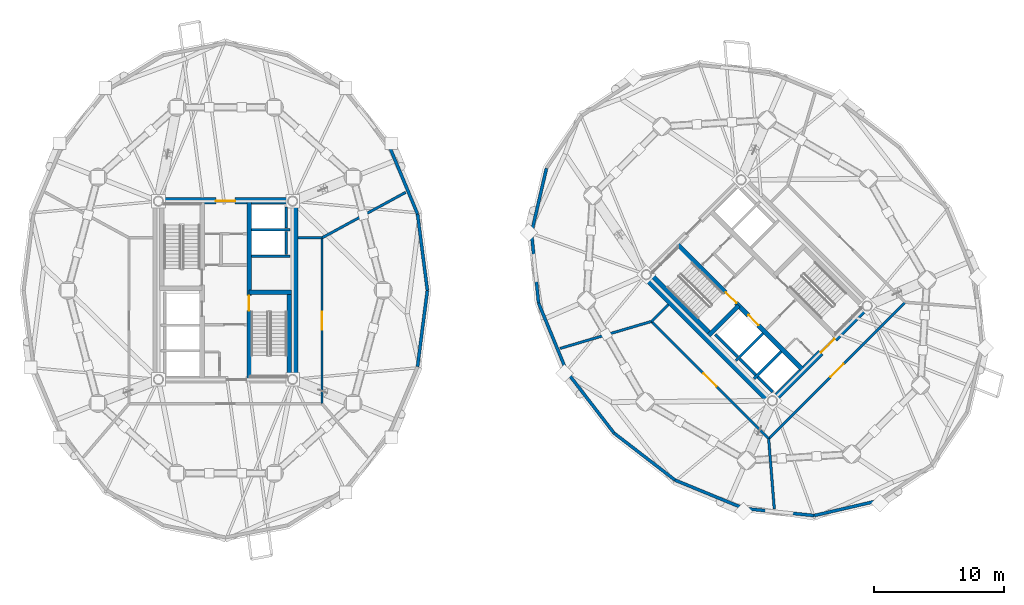
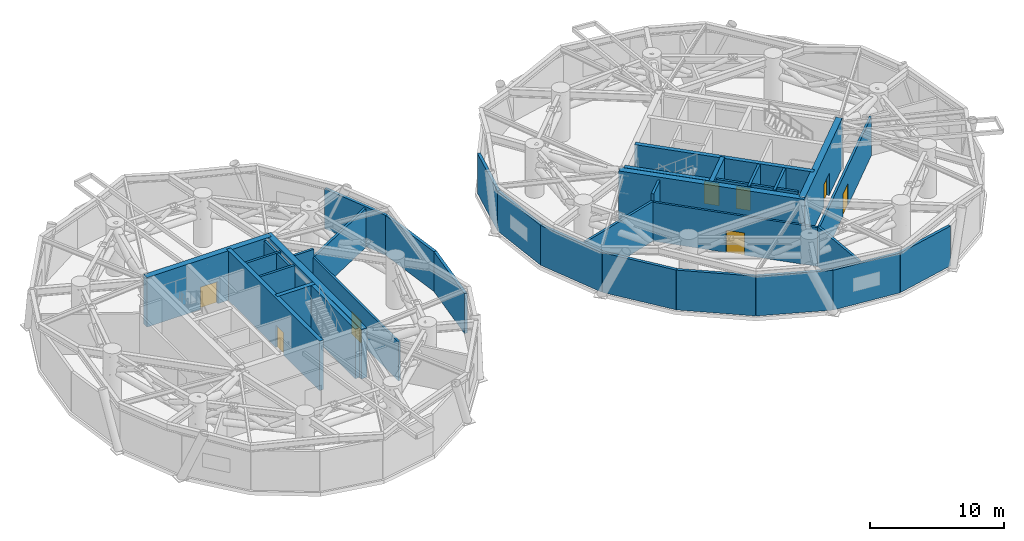
# One storey, part 11 of 16: 38 walls, 8 doors, 8 openings.
"""IFC4 building model written with IfcOpenShell, lengths in metres."""

import ifcopenshell
import ifcopenshell.guid

model = None  # the IFC model being written
_history = None  # IfcOwnerHistory: only IFC2X3 demands one
_inside = {}  # id of a spatial element -> (the spatial element, [elements in it])
_under = {}  # id of a project, library or spatial element -> (it, [spatial elements below it])
_declared = {}  # id of a project -> (the project, [libraries it declares])
_typed = {}  # id of a type object -> (the type object, [elements of that type])
_made_of = {}  # id of a material, layer set ... -> (it, [elements and type objects made of it])


def new_model(schema):
    """Start an empty IFC model of exactly this schema.

    Asked for "IFC4X3", IfcOpenShell would pick the latest addendum, in which some entities
    have other attributes; the version numbers below select the first issue.
    IFC2X3 requires an IfcOwnerHistory on every rooted entity: one is made here for all.
    """
    global model, _history
    if schema == "IFC4X3":
        model = ifcopenshell.file(schema_version=(4, 3, 0, 0))
    else:
        model = ifcopenshell.file(schema=schema)
    _inside.clear()
    _under.clear()
    _declared.clear()
    _typed.clear()
    _made_of.clear()
    _history = None
    if model.schema == "IFC2X3":
        org = make("IfcOrganization", Name="unknown")
        user = make(
            "IfcPersonAndOrganization",
            ThePerson=make("IfcPerson", FamilyName="unknown"),
            TheOrganization=org,
        )
        app = make(
            "IfcApplication",
            ApplicationDeveloper=org,
            Version="unknown",
            ApplicationFullName="unknown",
            ApplicationIdentifier="unknown",
        )
        _history = make(
            "IfcOwnerHistory",
            OwningUser=user,
            OwningApplication=app,
            ChangeAction="ADDED",
            CreationDate=0,
        )
    return model


def make(cls, **values):
    """One entity of the class cls with the attributes given. An attribute that is None is left unset."""
    return model.create_entity(
        cls, **{name: value for name, value in values.items() if value is not None}
    )


def rooted(cls, **values):
    """An entity with a GlobalId (a new one), such as an element, a storey or a relation."""
    return make(cls, GlobalId=ifcopenshell.guid.new(), OwnerHistory=_history, **values)


def si_unit(unit_type, name, prefix=None):
    """IfcSIUnit, for example si_unit("LENGTHUNIT", "METRE", prefix="MILLI")."""
    return make("IfcSIUnit", UnitType=unit_type, Prefix=prefix, Name=name)


def assignment(units):
    """IfcUnitAssignment: the units of a project."""
    return None if units is None else make("IfcUnitAssignment", Units=units)


def point(xyz):
    """IfcCartesianPoint."""
    return None if xyz is None else make("IfcCartesianPoint", Coordinates=xyz)


def direction(xyz):
    """IfcDirection."""
    return None if xyz is None else make("IfcDirection", DirectionRatios=xyz)


def frame(location, z_axis=None, x_axis=None):
    """IfcAxis2Placement3D, a coordinate frame: its origin and axes. An axis left out is left unset."""
    return make(
        "IfcAxis2Placement3D",
        Location=point(location),
        Axis=direction(z_axis),
        RefDirection=direction(x_axis),
    )


def frame_2d(location, x_axis=None):
    """IfcAxis2Placement2D, a coordinate frame in the plane: its origin and x axis."""
    return make(
        "IfcAxis2Placement2D", Location=point(location), RefDirection=direction(x_axis)
    )


def origin():
    """The frame at (0, 0, 0) with its axes left unset."""
    return frame((0.0, 0.0, 0.0))


def place(relative_to, where):
    """IfcLocalPlacement: puts the frame where relative to a parent placement (None: the world)."""
    return make(
        "IfcLocalPlacement", PlacementRelTo=relative_to, RelativePlacement=where
    )


def context(
    kind, dimensions, precision=None, world=None, true_north=None, identifier=None
):
    """IfcGeometricRepresentationContext, for example the 3D "Model" context."""
    return make(
        "IfcGeometricRepresentationContext",
        ContextIdentifier=identifier,
        ContextType=kind,
        CoordinateSpaceDimension=dimensions,
        Precision=precision,
        WorldCoordinateSystem=world,
        TrueNorth=true_north,
    )


def subcontext(parent, identifier, kind, view, scale=None):
    """IfcGeometricRepresentationSubContext, for example "Body" below "Model"."""
    return make(
        "IfcGeometricRepresentationSubContext",
        ContextIdentifier=identifier,
        ContextType=kind,
        ParentContext=parent,
        TargetScale=scale,
        TargetView=view,
    )


def project(units=None, contexts=None):
    """IfcProject with its units and contexts."""
    return rooted(
        "IfcProject",
        Name="project",
        RepresentationContexts=contexts,
        UnitsInContext=assignment(units),
    )


def spatial(cls, under=None, at=None, **own):
    """A site, building, storey or space (cls), placed at a placement, below another one or the project."""
    s = rooted(cls, ObjectPlacement=at, **own)
    if under is not None:
        _under.setdefault(under.id(), (under, []))[1].append(s)
    return s


def profile(cls, at=None, kind="AREA", **sizes):
    """A parametric profile (cls). Its sizes go by their IFC names, for example OverallWidth=200.0."""
    return make(cls, ProfileType=kind, Position=at, **sizes)


def rectangle(**sizes):
    """IfcRectangleProfileDef."""
    return profile("IfcRectangleProfileDef", **sizes)


def extrude(swept, where, along, depth):
    """IfcExtrudedAreaSolid: the profile swept, set in the frame where, extruded along a direction by depth."""
    return make(
        "IfcExtrudedAreaSolid",
        SweptArea=swept,
        Position=where,
        ExtrudedDirection=direction(along),
        Depth=depth,
    )


def shape(context_of_items, identifier, shape_type, items):
    """IfcShapeRepresentation: the items that make up one representation, for example the "Body"."""
    return make(
        "IfcShapeRepresentation",
        ContextOfItems=context_of_items,
        RepresentationIdentifier=identifier,
        RepresentationType=shape_type,
        Items=items,
    )


def source(mapping_origin, context_of_items, identifier, shape_type, items):
    """IfcRepresentationMap: a shape defined once, which mapped items show again and again."""
    return make(
        "IfcRepresentationMap",
        MappingOrigin=mapping_origin,
        MappedRepresentation=shape(context_of_items, identifier, shape_type, items),
    )


def transform(
    local_origin,
    x_axis=None,
    y_axis=None,
    z_axis=None,
    scale=None,
    scale2=None,
    scale3=None,
    uniform=True,
):
    """IfcCartesianTransformationOperator3D, or its non-uniform kind. x_axis, y_axis, z_axis: its Axis1, 2, 3."""
    if uniform:
        return make(
            "IfcCartesianTransformationOperator3D",
            Axis1=direction(x_axis),
            Axis2=direction(y_axis),
            LocalOrigin=point(local_origin),
            Scale=scale,
            Axis3=direction(z_axis),
        )
    return make(
        "IfcCartesianTransformationOperator3DnonUniform",
        Axis1=direction(x_axis),
        Axis2=direction(y_axis),
        LocalOrigin=point(local_origin),
        Scale=scale,
        Axis3=direction(z_axis),
        Scale2=scale2,
        Scale3=scale3,
    )


def mapped(mapping_source, mapping_target):
    """IfcMappedItem: shows the shape of a source again, moved by a transform."""
    return make(
        "IfcMappedItem", MappingSource=mapping_source, MappingTarget=mapping_target
    )


def material(Name=None, Category=None):
    """IfcMaterial."""
    return make("IfcMaterial", Name=Name, Category=Category)


def layer(
    of_material, thickness, ventilated=None, Name=None, Category=None, Priority=None
):
    """IfcMaterialLayer: one layer of a wall or slab, of a material (None: an air gap)."""
    return make(
        "IfcMaterialLayer",
        Material=of_material,
        LayerThickness=thickness,
        IsVentilated=ventilated,
        Name=Name,
        Category=Category,
        Priority=Priority,
    )


def layer_set(layers, Name=None):
    """IfcMaterialLayerSet."""
    return make("IfcMaterialLayerSet", MaterialLayers=layers, LayerSetName=Name)


def made_of(thing, what):
    """Note that an element or type object is made of a material, layer set ...; save() writes the relation."""
    if what is not None:
        _made_of.setdefault(what.id(), (what, []))[1].append(thing)
    return thing


def type_object(cls, material=None, **own):
    """A type object (cls), such as IfcWallType, which elements share."""
    return made_of(rooted(cls, **own), material)


def element(
    cls,
    number,
    at=None,
    inside=None,
    cuts=None,
    type_object=None,
    material=None,
    context=None,
    identifier="Body",
    shape_type=None,
    held_by="IfcProductDefinitionShape",
    body=None,
    shapes=None,
    **own,
):
    """One element of the class cls, such as IfcWall. Its Tag is "e" and its number.

    at: its placement. inside: the storey or other place that contains it. cuts: it is an
    opening in that element (IfcRelVoidsElement). A single representation is given by context,
    identifier, shape_type and body (its items); several are given by shapes. held_by: the class
    of the entity that holds the representations. save() writes the other relations.
    """
    e = rooted(cls, Tag="e%d" % number, ObjectPlacement=at, **own)
    if body is not None:
        shapes = [shape(context, identifier, shape_type, body)]
    if shapes is not None:
        e.Representation = make(held_by, Representations=shapes)
    if inside is not None:
        _inside.setdefault(inside.id(), (inside, []))[1].append(e)
    if cuts is not None:
        rooted(
            "IfcRelVoidsElement", RelatingBuildingElement=cuts, RelatedOpeningElement=e
        )
    if type_object is not None:
        _typed.setdefault(type_object.id(), (type_object, []))[1].append(e)
    return made_of(e, material)


def fill(opening, filler):
    """IfcRelFillsElement: the door or window that sits in an opening."""
    return rooted(
        "IfcRelFillsElement",
        RelatingOpeningElement=opening,
        RelatedBuildingElement=filler,
    )


def aggregate(whole, parts):
    """IfcRelAggregates: a whole, such as a stair, and the parts it consists of."""
    return rooted("IfcRelAggregates", RelatingObject=whole, RelatedObjects=parts)


def save(model, path):
    """Write the relations noted so far, then the file.

    IfcRelAggregates (storeys below a building ...), IfcRelContainedInSpatialStructure (elements
    in a storey), IfcRelDefinesByType, IfcRelAssociatesMaterial and IfcRelDeclares: one each for
    every whole, place, type object, material and project.
    """
    for whole, parts in _under.values():
        aggregate(whole, parts)
    for where, things in _inside.values():
        rooted(
            "IfcRelContainedInSpatialStructure",
            RelatedElements=things,
            RelatingStructure=where,
        )
    for kind, things in _typed.values():
        rooted("IfcRelDefinesByType", RelatedObjects=things, RelatingType=kind)
    for what, things in _made_of.values():
        rooted("IfcRelAssociatesMaterial", RelatedObjects=things, RelatingMaterial=what)
    for by, libraries in _declared.values():
        rooted("IfcRelDeclares", RelatingContext=by, RelatedDefinitions=libraries)
    model.write(path)


model = new_model("IFC4")

# Units and contexts
model_context = context("Model", 3, precision=1e-05, world=origin(), true_north=direction((0.0, 1.0)))
body_context = subcontext(model_context, "Body", "Model", "MODEL_VIEW")
ifc_project = project(units=[si_unit("LENGTHUNIT", "METRE"), si_unit("AREAUNIT", "SQUARE_METRE"), si_unit("VOLUMEUNIT", "CUBIC_METRE"), si_unit("PLANEANGLEUNIT", "RADIAN"), si_unit("MASSUNIT", "GRAM", prefix="KILO")], contexts=[model_context])

# Site, building, storey
site_placement = place(None, origin())
site = spatial("IfcSite", under=ifc_project, at=site_placement, CompositionType="ELEMENT")
building_placement = place(site_placement, origin())
building = spatial("IfcBuilding", under=site, at=building_placement, Name="Cununo Teusaquillo Station Towers", CompositionType="ELEMENT")
storey_placement = place(building_placement, frame((0.0, 0.0, 65.64990234375)))
storey = spatial("IfcBuildingStorey", under=building, at=storey_placement, Name="L20", CompositionType="ELEMENT", Elevation=65.64990234375)

# Walls
ifc_material_1 = material(Name="Concrete C50/60", Category="concrete")
ifc_layer_1 = layer(ifc_material_1, 0.199951171875)
ifc_layer_set_1 = layer_set([ifc_layer_1], Name="Concrete C50/60")
wall_type_1 = type_object("IfcWallType", Name="WL-CORE-200", PredefinedType="SHEAR", material=ifc_layer_set_1)
for number, where, z_axis, x_axis, name in (
    (1, (18.510009765625, 27.1298828125, 0.0), (0.0, 0.0, 1.0), (1.0, 0.0, 0.0), "L20 Tower A Low-Rise Lift Hoistway South Shear Wall"),
    (2, (18.510009765625, 29.175048828125, 0.0), (0.0, 0.0, 1.0), (1.0, 0.0, 0.0), "L20 Tower A Low-Rise Lift Hoistway Divider Shear Wall"),
):
    element("IfcWall", number, at=place(storey_placement, frame(where, z_axis=z_axis, x_axis=x_axis)), inside=storey, type_object=wall_type_1, Name=name, PredefinedType="SHEAR", context=body_context, shape_type="SweptSolid", body=[
        extrude(rectangle(XDim=2.969970703125, YDim=0.199951171875, at=frame_2d((1.48486328125, 0.0))), origin(), (0.0, 0.0, 1.0), 4.5),
    ])
wall_1_placement = place(storey_placement, frame((21.179931640625, 27.25, 0.0), z_axis=(0.0, 0.0, 1.0), x_axis=(0.0, 1.0, 0.0)))
element("IfcWall", 3, at=wall_1_placement, inside=storey, type_object=wall_type_1, Name="L20 Tower A Low-Rise Lift 1 Shaft Rear Shear Wall", PredefinedType="SHEAR", context=body_context, shape_type="SweptSolid", body=[
    extrude(rectangle(XDim=1.804931640625, YDim=0.199951171875, at=frame_2d((0.90234375, 0.0))), origin(), (0.0, 0.0, 1.0), 4.5),
])
wall_2_placement = place(storey_placement, frame((21.179931640625, 29.294921875, 0.0), z_axis=(0.0, 0.0, 1.0), x_axis=(0.0, 1.0, 0.0)))
element("IfcWall", 4, at=wall_2_placement, inside=storey, type_object=wall_type_1, Name="L20 Tower A Low-Rise Lift 2 Shaft Rear Shear Wall", PredefinedType="SHEAR", context=body_context, shape_type="SweptSolid", body=[
    extrude(rectangle(XDim=1.635009765625, YDim=0.199951171875, at=frame_2d((0.8173828125, 0.0))), origin(), (0.0, 0.0, 1.0), 4.5),
])
wall_3_placement = place(storey_placement, frame((55.8876953125, 19.0693359375, 0.0), z_axis=(0.0, 0.0, 1.0), x_axis=(0.707106781187, 0.707106781187, 0.0)))
element("IfcWall", 5, at=wall_3_placement, inside=storey, type_object=wall_type_1, Name="L20 Tower B Firefighting Lift Shaft South Shear Wall", PredefinedType="SHEAR", context=body_context, shape_type="SweptSolid", body=[
    extrude(rectangle(XDim=2.969970703125, YDim=0.199951171875, at=frame_2d((1.48486328125, 0.0))), origin(), (0.0, 0.0, 1.0), 4.5),
])
wall_4_placement = place(storey_placement, frame((56.01513671875, 19.366455078125, 0.0), z_axis=(0.0, 0.0, 1.0), x_axis=(-0.707106781187, 0.707106781187, 0.0)))
element("IfcWall", 6, at=wall_4_placement, inside=storey, type_object=wall_type_1, Name="L20 Tower B Firefighting Lift Shaft Rear Shear Wall", PredefinedType="SHEAR", context=body_context, shape_type="SweptSolid", body=[
    extrude(rectangle(XDim=2.43994140625, YDim=0.199951171875, at=frame_2d((1.219970703125, 0.0))), origin(), (0.0, 0.0, 1.0), 4.5),
])
wall_5_placement = place(storey_placement, frame((57.2841796875, 17.6728515625, 0.0), z_axis=(0.0, 0.0, 1.0), x_axis=(0.707147878904, 0.70706568108, 0.0)))
element("IfcWall", 7, at=wall_5_placement, inside=storey, type_object=wall_type_1, Name="L20 Tower B High-Rise Lift Hoistway Divider Shear Wall", PredefinedType="SHEAR", context=body_context, shape_type="SweptSolid", body=[
    extrude(rectangle(XDim=2.97021484375, YDim=0.199951171875, at=frame_2d((1.485107421875, 0.0))), origin(), (0.0, 0.0, 1.0), 4.5),
])
wall_6_placement = place(storey_placement, frame((57.41162109375, 17.969970703125, 0.0), z_axis=(0.0, 0.0, 1.0), x_axis=(-0.707106781187, 0.707106781187, 0.0)))
element("IfcWall", 8, at=wall_6_placement, inside=storey, type_object=wall_type_1, Name="L20 Tower B High-Rise Lift 2 Shaft Rear Shear Wall", PredefinedType="SHEAR", context=body_context, shape_type="SweptSolid", body=[
    extrude(rectangle(XDim=1.73486328125, YDim=0.199951171875, at=frame_2d((0.867431640625, 0.0))), origin(), (0.0, 0.0, 1.0), 4.5),
])
wall_7_placement = place(storey_placement, frame((58.7373046875, 16.64404296875, 0.0), z_axis=(0.0, 0.0, 1.0), x_axis=(-0.707032117043, 0.707181437447, 0.0)))
element("IfcWall", 9, at=wall_7_placement, inside=storey, type_object=wall_type_1, Name="L20 Tower B High-Rise Lift 1 Shaft Rear Shear Wall", PredefinedType="SHEAR", context=body_context, shape_type="SweptSolid", body=[
    extrude(rectangle(XDim=1.635009765625, YDim=0.199951171875, at=frame_2d((0.8173828125, 0.0))), origin(), (0.0, 0.0, 1.0), 4.5),
])

# Wall, opening, door
ifc_material_2 = material(Name="Concrete C50/60", Category="concrete")
ifc_layer_2 = layer(ifc_material_2, 0.35009765625)
ifc_layer_set_2 = layer_set([ifc_layer_2], Name="Concrete C50/60")
wall_type_2 = type_object("IfcWallType", Name="WL-CORE-350", PredefinedType="SHEAR", material=ifc_layer_set_2)
wall_8_placement = place(storey_placement, frame((18.31494140625, 17.60009765625, 0.0), z_axis=(0.0, 0.0, 1.0), x_axis=(0.0, 1.0, 0.0)))
wall_8 = element("IfcWall", 10, at=wall_8_placement, inside=storey, type_object=wall_type_2, Name="L20 Tower A Core Shear Wall IE", PredefinedType="SHEAR", context=body_context, shape_type="SweptSolid", body=[
    extrude(rectangle(XDim=13.7998046875, YDim=0.35009765625, at=frame_2d((6.89990234375, 0.0))), origin(), (0.0, 0.0, 1.0), 4.5),
])
shared_shape_1 = source(origin(), body_context, "Body", "SweptSolid", [
    extrude(rectangle(XDim=1.14990234375, YDim=2.02001953125, at=frame_2d((0.574951171875, 1.010009765625))), frame((0.0, 0.18505859375, 0.0), z_axis=(0.0, -1.0, 0.0), x_axis=(1.0, 0.0, 0.0)), (0.0, 0.0, 1.0), 0.3701171875),
])
opening_1_placement = place(wall_8_placement, frame((5.330078125, 0.0, 0.0)))
opening_1 = element("IfcOpeningElement", 11, at=opening_1_placement, cuts=wall_8, Name="Opening D-ST1", PredefinedType="OPENING", context=body_context, shape_type="MappedRepresentation", body=[
    mapped(shared_shape_1, transform((0.0, 0.0, 0.0), x_axis=(1.0, 0.0, 0.0), y_axis=(0.0, 1.0, 0.0), z_axis=(0.0, 0.0, 1.0), scale=1.0)),
])
ifc_material_3 = material(Name="Galvanised fire-rated hollow steel door assembly", Category="steel")
door_type_1 = type_object("IfcDoorType", Name="DR-STAIR-1150", OperationType="NOTDEFINED", PredefinedType="DOOR", material=ifc_material_3)
shared_shape_2 = source(origin(), body_context, "Body", "SweptSolid", [
    extrude(rectangle(XDim=1.14990234375, YDim=2.02001953125, at=frame_2d((0.574951171875, 1.010009765625))), frame((0.0, 0.02490234375, 0.0), z_axis=(0.0, -1.0, 0.0), x_axis=(1.0, 0.0, 0.0)), (0.0, 0.0, 1.0), 0.050048828125),
])
door_1_placement = place(opening_1_placement, origin())
door_1 = element("IfcDoor", 12, at=door_1_placement, inside=storey, type_object=door_type_1, Name="L20 Tower A Exit Stair 2 Fire Door", OperationType="SINGLE_SWING_RIGHT", OverallHeight=2.02001953125, OverallWidth=1.14990234375, PredefinedType="DOOR", context=body_context, shape_type="MappedRepresentation", body=[
    mapped(shared_shape_2, transform((0.0, 0.0, 0.0), x_axis=(1.0, 0.0, 0.0), y_axis=(0.0, 1.0, 0.0), z_axis=(0.0, 0.0, 1.0), scale=1.0)),
])
fill(opening_1, door_1)

# Walls
wall_9_placement = place(storey_placement, frame((21.405029296875, 17.60009765625, 0.0), z_axis=(0.0, 0.0, 1.0), x_axis=(0.0, 1.0, 0.0)))
element("IfcWall", 13, at=wall_9_placement, inside=storey, type_object=wall_type_2, Name="L20 Tower A Core Shear Wall ST2E", PredefinedType="SHEAR", context=body_context, shape_type="SweptSolid", body=[
    extrude(rectangle(XDim=6.744873046875, YDim=0.35009765625, at=frame_2d((3.37255859375, 0.0))), origin(), (0.0, 0.0, 1.0), 4.5),
])
wall_10_placement = place(storey_placement, frame((18.31494140625, 24.344970703125, 0.0), z_axis=(0.0, 0.0, 1.0), x_axis=(1.0, 0.0, 0.0)))
element("IfcWall", 14, at=wall_10_placement, inside=storey, type_object=wall_type_2, Name="L20 Tower A Core Shear Wall ST2N", PredefinedType="SHEAR", context=body_context, shape_type="SweptSolid", body=[
    extrude(rectangle(XDim=3.28515625, YDim=0.35009765625, at=frame_2d((1.642578125, 0.0))), origin(), (0.0, 0.0, 1.0), 4.5),
])

# Wall, openings, doors
wall_11_placement = place(storey_placement, frame((61.095703125, 18.337646484375, 0.0), z_axis=(0.0, 0.0, 1.0), x_axis=(-0.707106781187, 0.707106781187, 0.0)))
wall_11 = element("IfcWall", 15, at=wall_11_placement, inside=storey, type_object=wall_type_2, Name="L20 Tower B Core Shear Wall IW", PredefinedType="SHEAR", context=body_context, shape_type="SweptSolid", body=[
    extrude(rectangle(XDim=13.800048828125, YDim=0.35009765625, at=frame_2d((6.89990234375, 0.0))), origin(), (0.0, 0.0, 1.0), 4.5),
])
shared_shape_3 = source(origin(), body_context, "Body", "SweptSolid", [
    extrude(rectangle(XDim=1.10009765625, YDim=2.014892578125, at=frame_2d((0.550048828125, 1.00732421875))), frame((0.0, 0.18505859375, 0.0), z_axis=(0.0, -1.0, 0.0), x_axis=(1.0, 0.0, 0.0)), (0.0, 0.0, 1.0), 0.3701171875),
])
opening_2_placement = place(wall_11_placement, frame((4.89990234375, 0.0, 0.0)))
opening_2 = element("IfcOpeningElement", 16, at=opening_2_placement, cuts=wall_11, Name="Opening LD-01", PredefinedType="OPENING", context=body_context, shape_type="MappedRepresentation", body=[
    mapped(shared_shape_3, transform((0.0, 0.0, 0.0), x_axis=(1.0, 0.0, 0.0), y_axis=(0.0, 1.0, 0.0), z_axis=(0.0, 0.0, 1.0), scale=1.0)),
])
opening_3_placement = place(wall_11_placement, frame((7.320068359375, 0.0, 0.0)))
opening_3 = element("IfcOpeningElement", 17, at=opening_3_placement, cuts=wall_11, Name="Opening D-ST1", PredefinedType="OPENING", context=body_context, shape_type="MappedRepresentation", body=[
    mapped(shared_shape_1, transform((0.0, 0.0, 0.0), x_axis=(1.0, 0.0, 0.0), y_axis=(0.0, 1.0, 0.0), z_axis=(0.0, 0.0, 1.0), scale=1.0)),
])
ifc_material_4 = material(Name="Galvanised fire-rated hollow steel door assembly", Category="steel")
door_type_2 = type_object("IfcDoorType", Name="DR-LIFT-1100", OperationType="SLIDING_TO_LEFT", PredefinedType="DOOR", material=ifc_material_4)
shared_shape_4 = source(origin(), body_context, "Body", "SweptSolid", [
    extrude(rectangle(XDim=1.10009765625, YDim=2.014892578125, at=frame_2d((0.550048828125, 1.00732421875))), frame((0.0, 0.02490234375, 0.0), z_axis=(0.0, -1.0, 0.0), x_axis=(1.0, 0.0, 0.0)), (0.0, 0.0, 1.0), 0.050048828125),
])
door_2_placement = place(opening_2_placement, origin())
door_2 = element("IfcDoor", 18, at=door_2_placement, inside=storey, type_object=door_type_2, Name="L20 Lift FL-T2 Sliding Landing Door", OperationType="SLIDING_TO_RIGHT", OverallHeight=2.014892578125, OverallWidth=1.10009765625, PredefinedType="DOOR", context=body_context, shape_type="MappedRepresentation", body=[
    mapped(shared_shape_4, transform((0.0, 0.0, 0.0), x_axis=(1.0, 0.0, 0.0), y_axis=(0.0, 1.0, 0.0), z_axis=(0.0, 0.0, 1.0), scale=1.0)),
])
fill(opening_2, door_2)
door_3_placement = place(opening_3_placement, origin())
door_3 = element("IfcDoor", 19, at=door_3_placement, inside=storey, type_object=door_type_1, Name="L20 Tower B Exit Stair 1 Fire Door", OperationType="SINGLE_SWING_RIGHT", OverallHeight=2.02001953125, OverallWidth=1.14990234375, PredefinedType="DOOR", context=body_context, shape_type="MappedRepresentation", body=[
    mapped(shared_shape_2, transform((0.0, 0.0, 0.0), x_axis=(1.0, 0.0, 0.0), y_axis=(0.0, 1.0, 0.0), z_axis=(0.0, 0.0, 1.0), scale=1.0)),
])
fill(opening_3, door_3)

# Walls
wall_12_placement = place(storey_placement, frame((53.922119140625, 21.14111328125, 0.0), z_axis=(0.0, 0.0, 1.0), x_axis=(-0.707106781187, 0.707106781187, 0.0)))
element("IfcWall", 20, at=wall_12_placement, inside=storey, type_object=wall_type_2, Name="L20 Tower B Core Shear Wall ST1W", PredefinedType="SHEAR", context=body_context, shape_type="SweptSolid", body=[
    extrude(rectangle(XDim=6.7451171875, YDim=0.35009765625, at=frame_2d((3.37255859375, 0.0))), origin(), (0.0, 0.0, 1.0), 4.5),
])
wall_13_placement = place(storey_placement, frame((53.7841796875, 21.00341796875, 0.0), z_axis=(0.0, 0.0, 1.0), x_axis=(0.707106781187, 0.707106781187, 0.0)))
element("IfcWall", 21, at=wall_13_placement, inside=storey, type_object=wall_type_2, Name="L20 Tower B Core Shear Wall ST1S", PredefinedType="SHEAR", context=body_context, shape_type="SweptSolid", body=[
    extrude(rectangle(XDim=3.284912109375, YDim=0.35009765625, at=frame_2d((1.642578125, 0.0))), origin(), (0.0, 0.0, 1.0), 4.5),
])
ifc_material_5 = material(Name="Concrete C60/75", Category="concrete")
ifc_layer_3 = layer(ifc_material_5, 0.5)
ifc_layer_set_3 = layer_set([ifc_layer_3], Name="Concrete C60/75")
wall_type_3 = type_object("IfcWallType", Name="WL-CORE-500", PredefinedType="SHEAR", material=ifc_layer_set_3)
wall_14_placement = place(storey_placement, frame((21.85009765625, 17.35009765625, 0.0), z_axis=(0.0, 0.0, 1.0), x_axis=(0.0, 1.0, 0.0)))
element("IfcWall", 22, at=wall_14_placement, inside=storey, type_object=wall_type_3, Name="L20 Tower A Core Shear Wall E", PredefinedType="SHEAR", context=body_context, shape_type="SweptSolid", body=[
    extrude(rectangle(XDim=14.2998046875, YDim=0.5, at=frame_2d((7.14990234375, 0.0))), origin(), (0.0, 0.0, 1.0), 4.5),
])

# Wall, opening, door
wall_15_placement = place(storey_placement, frame((11.14990234375, 31.39990234375, 0.0), z_axis=(0.0, 0.0, 1.0), x_axis=(1.0, 0.0, 0.0)))
wall_15 = element("IfcWall", 23, at=wall_15_placement, inside=storey, type_object=wall_type_3, Name="L20 Tower A Core Shear Wall N", PredefinedType="SHEAR", context=body_context, shape_type="SweptSolid", body=[
    extrude(rectangle(XDim=10.7001953125, YDim=0.5, at=frame_2d((5.35009765625, 0.0))), origin(), (0.0, 0.0, 1.0), 4.5),
])
shared_shape_5 = source(origin(), body_context, "Body", "SweptSolid", [
    extrude(rectangle(XDim=1.5, YDim=2.02001953125, at=frame_2d((0.75, 1.010009765625))), frame((0.0, 0.260009765625, 0.0), z_axis=(0.0, -1.0, 0.0), x_axis=(1.0, 0.0, 0.0)), (0.0, 0.0, 1.0), 0.52001953125),
])
opening_4_placement = place(wall_15_placement, frame((4.60009765625, 0.0, 0.0)))
opening_4 = element("IfcOpeningElement", 24, at=opening_4_placement, cuts=wall_15, Name="Opening D-LB1", PredefinedType="OPENING", context=body_context, shape_type="MappedRepresentation", body=[
    mapped(shared_shape_5, transform((0.0, 0.0, 0.0), x_axis=(1.0, 0.0, 0.0), y_axis=(0.0, 1.0, 0.0), z_axis=(0.0, 0.0, 1.0), scale=1.0)),
])
ifc_material_6 = material(Name="Galvanised fire-rated hollow steel door assembly", Category="steel")
door_type_3 = type_object("IfcDoorType", Name="DR-LOBBY-1500", OperationType="DOUBLE_DOOR_SINGLE_SWING", PredefinedType="DOOR", material=ifc_material_6)
shared_shape_6 = source(origin(), body_context, "Body", "SweptSolid", [
    extrude(rectangle(XDim=1.5, YDim=2.02001953125, at=frame_2d((0.75, 1.010009765625))), frame((0.0, 0.02490234375, 0.0), z_axis=(0.0, -1.0, 0.0), x_axis=(1.0, 0.0, 0.0)), (0.0, 0.0, 1.0), 0.050048828125),
])
door_4_placement = place(opening_4_placement, origin())
door_4 = element("IfcDoor", 25, at=door_4_placement, inside=storey, type_object=door_type_3, Name="L20 Tower A North Core Lift Lobby Door", OperationType="DOUBLE_DOOR_SINGLE_SWING", OverallHeight=2.02001953125, OverallWidth=1.5, PredefinedType="DOOR", context=body_context, shape_type="MappedRepresentation", body=[
    mapped(shared_shape_6, transform((0.0, 0.0, 0.0), x_axis=(1.0, 0.0, 0.0), y_axis=(0.0, 1.0, 0.0), z_axis=(0.0, 0.0, 1.0), scale=1.0)),
])
fill(opening_4, door_4)

# Wall
wall_16_placement = place(storey_placement, frame((58.772705078125, 15.6611328125, 0.0), z_axis=(0.0, 0.0, 1.0), x_axis=(-0.707106781187, 0.707106781187, 0.0)))
element("IfcWall", 26, at=wall_16_placement, inside=storey, type_object=wall_type_3, Name="L20 Tower B Core Shear Wall W", PredefinedType="SHEAR", context=body_context, shape_type="SweptSolid", body=[
    extrude(rectangle(XDim=14.2998046875, YDim=0.5, at=frame_2d((7.14990234375, 0.0))), origin(), (0.0, 0.0, 1.0), 4.5),
])

# Wall, opening, door
wall_17_placement = place(storey_placement, frame((58.595947265625, 15.837890625, 0.0), z_axis=(0.0, 0.0, 1.0), x_axis=(0.707106781187, 0.707106781187, 0.0)))
wall_17 = element("IfcWall", 27, at=wall_17_placement, inside=storey, type_object=wall_type_3, Name="L20 Tower B Core Shear Wall S", PredefinedType="SHEAR", context=body_context, shape_type="SweptSolid", body=[
    extrude(rectangle(XDim=10.7001953125, YDim=0.5, at=frame_2d((5.35009765625, 0.0))), origin(), (0.0, 0.0, 1.0), 4.5),
])
opening_5_placement = place(wall_17_placement, frame((5.449951171875, 0.0, 0.0)))
opening_5 = element("IfcOpeningElement", 28, at=opening_5_placement, cuts=wall_17, Name="Opening D-LB1", PredefinedType="OPENING", context=body_context, shape_type="MappedRepresentation", body=[
    mapped(shared_shape_5, transform((0.0, 0.0, 0.0), x_axis=(1.0, 0.0, 0.0), y_axis=(0.0, 1.0, 0.0), z_axis=(0.0, 0.0, 1.0), scale=1.0)),
])
door_5_placement = place(opening_5_placement, origin())
door_5 = element("IfcDoor", 29, at=door_5_placement, inside=storey, type_object=door_type_3, Name="L20 Tower B South Core Lift Lobby Door", OperationType="DOUBLE_DOOR_SINGLE_SWING", OverallHeight=2.02001953125, OverallWidth=1.5, PredefinedType="DOOR", context=body_context, shape_type="MappedRepresentation", body=[
    mapped(shared_shape_6, transform((0.0, 0.0, 0.0), x_axis=(1.0, 0.0, 0.0), y_axis=(0.0, 1.0, 0.0), z_axis=(0.0, 0.0, 1.0), scale=1.0)),
])
fill(opening_5, door_5)

# Walls
ifc_material_7 = material(Name="Precast concrete C40/50", Category="concrete")
ifc_layer_4 = layer(ifc_material_7, 0.239990234375)
ifc_layer_set_4 = layer_set([ifc_layer_4], Name="Precast concrete C40/50")
wall_type_4 = type_object("IfcWallType", Name="WL-EXT-240", PredefinedType="SOLIDWALL", material=ifc_layer_set_4)
wall_18_placement = place(storey_placement, frame((31.318359375, 30.39306640625, 0.0), z_axis=(0.0, 0.0, 1.0), x_axis=(0.128351991996, -0.991728675672, 0.0)))
element("IfcWall", 30, at=wall_18_placement, inside=storey, type_object=wall_type_4, Name="L20 Tower A Exterior Facade Wall C00", PredefinedType="SOLIDWALL", context=body_context, shape_type="SweptSolid", body=[
    extrude(rectangle(XDim=5.942138671875, YDim=0.239990234375, at=frame_2d((2.97119140625, 0.0))), origin(), (0.0, 0.0, 1.0), 3.6162109375),
])
wall_19_placement = place(storey_placement, frame((29.105224609375, 35.708984375, 0.0), z_axis=(0.0, 0.0, 1.0), x_axis=(0.384344417632, -0.923189779317, 0.0)))
element("IfcWall", 31, at=wall_19_placement, inside=storey, type_object=wall_type_4, Name="L20 Tower A Exterior Facade Wall C01", PredefinedType="SOLIDWALL", context=body_context, shape_type="SweptSolid", body=[
    extrude(rectangle(XDim=5.75830078125, YDim=0.239990234375, at=frame_2d((2.879150390625, 0.0))), origin(), (0.0, 0.0, 1.0), 3.6162109375),
])
wall_20_placement = place(storey_placement, frame((32.0810546875, 24.5, 0.0), z_axis=(0.0, 0.0, 1.0), x_axis=(-0.128351991996, -0.991728675672, 0.0)))
element("IfcWall", 32, at=wall_20_placement, inside=storey, type_object=wall_type_4, Name="L20 Tower A Exterior Facade Wall C19", PredefinedType="SOLIDWALL", context=body_context, shape_type="SweptSolid", body=[
    extrude(rectangle(XDim=5.942138671875, YDim=0.239990234375, at=frame_2d((2.97119140625, 0.0))), origin(), (0.0, 0.0, 1.0), 3.6162109375),
])
wall_21_placement = place(storey_placement, frame((40.114990234375, 28.933349609375, 0.0), z_axis=(0.0, 0.0, 1.0), x_axis=(0.225834725257, 0.974165631126, 0.0)))
element("IfcWall", 33, at=wall_21_placement, inside=storey, type_object=wall_type_4, Name="L20 Tower B Exterior Facade Wall C06", PredefinedType="SOLIDWALL", context=body_context, shape_type="SweptSolid", body=[
    extrude(rectangle(XDim=5.118896484375, YDim=0.239990234375, at=frame_2d((2.5595703125, 0.0))), origin(), (0.0, 0.0, 1.0), 3.6162109375),
])
wall_22_placement = place(storey_placement, frame((40.66064453125, 23.5126953125, 0.0), z_axis=(0.0, 0.0, 1.0), x_axis=(-0.10015591906, 0.994971754311, 0.0)))
element("IfcWall", 34, at=wall_22_placement, inside=storey, type_object=wall_type_4, Name="L20 Tower B Exterior Facade Wall C07", PredefinedType="SOLIDWALL", context=body_context, shape_type="SweptSolid", body=[
    extrude(rectangle(XDim=5.447998046875, YDim=0.239990234375, at=frame_2d((2.72412109375, 0.0))), origin(), (0.0, 0.0, 1.0), 3.6162109375),
])
wall_23_placement = place(storey_placement, frame((42.854736328125, 18.188720703125, 0.0), z_axis=(0.0, 0.0, 1.0), x_axis=(-0.381027003055, 0.924563909604, 0.0)))
element("IfcWall", 35, at=wall_23_placement, inside=storey, type_object=wall_type_4, Name="L20 Tower B Exterior Facade Wall C08", PredefinedType="SOLIDWALL", context=body_context, shape_type="SweptSolid", body=[
    extrude(rectangle(XDim=5.75830078125, YDim=0.239990234375, at=frame_2d((2.879150390625, 0.0))), origin(), (0.0, 0.0, 1.0), 3.6162109375),
])
for number, where, z_axis, x_axis, name in (
    (36, (46.482666015625, 13.482666015625, 0.0), (0.0, 0.0, 1.0), (-0.61054437102, 0.791982052206, 0.0), "L20 Tower B Exterior Facade Wall C09"),
    (37, (51.188720703125, 9.854736328125, 0.0), (0.0, 0.0, 1.0), (-0.791982052206, 0.61054437102, 0.0), "L20 Tower B Exterior Facade Wall C10"),
):
    element("IfcWall", number, at=place(storey_placement, frame(where, z_axis=z_axis, x_axis=x_axis)), inside=storey, type_object=wall_type_4, Name=name, PredefinedType="SOLIDWALL", context=body_context, shape_type="SweptSolid", body=[
        extrude(rectangle(XDim=5.942138671875, YDim=0.239990234375, at=frame_2d((2.97119140625, 0.0))), origin(), (0.0, 0.0, 1.0), 3.6162109375),
    ])
wall_24_placement = place(storey_placement, frame((56.5126953125, 7.66064453125, 0.0), z_axis=(0.0, 0.0, 1.0), x_axis=(-0.924563909604, 0.381027003055, 0.0)))
element("IfcWall", 38, at=wall_24_placement, inside=storey, type_object=wall_type_4, Name="L20 Tower B Exterior Facade Wall C11", PredefinedType="SOLIDWALL", context=body_context, shape_type="SweptSolid", body=[
    extrude(rectangle(XDim=5.75830078125, YDim=0.239990234375, at=frame_2d((2.879150390625, 0.0))), origin(), (0.0, 0.0, 1.0), 3.6162109375),
])
wall_25_placement = place(storey_placement, frame((61.933349609375, 7.114990234375, 0.0), z_axis=(0.0, 0.0, 1.0), x_axis=(-0.994971754311, 0.10015591906, 0.0)))
element("IfcWall", 39, at=wall_25_placement, inside=storey, type_object=wall_type_4, Name="L20 Tower B Exterior Facade Wall C12", PredefinedType="SOLIDWALL", context=body_context, shape_type="SweptSolid", body=[
    extrude(rectangle(XDim=5.447998046875, YDim=0.239990234375, at=frame_2d((2.72412109375, 0.0))), origin(), (0.0, 0.0, 1.0), 3.6162109375),
])
wall_26_placement = place(storey_placement, frame((66.919921875, 8.27099609375, 0.0), z_axis=(0.0, 0.0, 1.0), x_axis=(-0.974165631126, -0.225834725257, 0.0)))
element("IfcWall", 40, at=wall_26_placement, inside=storey, type_object=wall_type_4, Name="L20 Tower B Exterior Facade Wall C13", PredefinedType="SOLIDWALL", context=body_context, shape_type="SweptSolid", body=[
    extrude(rectangle(XDim=5.118896484375, YDim=0.239990234375, at=frame_2d((2.5595703125, 0.0))), origin(), (0.0, 0.0, 1.0), 3.6162109375),
])

# Wall, opening, door
ifc_material_8 = material(Name="Fire-rated gypsum plasterboard partition assembly", Category="gypsum")
ifc_layer_5 = layer(ifc_material_8, 0.179931640625)
ifc_layer_set_5 = layer_set([ifc_layer_5], Name="Fire-rated gypsum plasterboard partition assembly")
wall_type_5 = type_object("IfcWallType", Name="WL-PART-180", PredefinedType="PARTITIONING", material=ifc_layer_set_5)
wall_27_placement = place(storey_placement, frame((23.949951171875, 15.75, 0.0), z_axis=(0.0, 0.0, 1.0), x_axis=(0.0, 1.0, 0.0)))
wall_27 = element("IfcWall", 41, at=wall_27_placement, inside=storey, type_object=wall_type_5, Name="L20 Tower A Protected Plant Corridor Wall E", PredefinedType="PARTITIONING", context=body_context, shape_type="SweptSolid", body=[
    extrude(rectangle(XDim=12.800048828125, YDim=0.179931640625, at=frame_2d((6.39990234375, 0.0))), origin(), (0.0, 0.0, 1.0), 3.5361328125),
])
shared_shape_7 = source(origin(), body_context, "Body", "SweptSolid", [
    extrude(rectangle(XDim=1.39990234375, YDim=2.02001953125, at=frame_2d((0.699951171875, 1.010009765625))), frame((0.0, 0.099853515625, 0.0), z_axis=(0.0, -1.0, 0.0), x_axis=(1.0, 0.0, 0.0)), (0.0, 0.0, 1.0), 0.199951171875),
])
opening_6_placement = place(wall_27_placement, frame((5.699951171875, 0.0, 0.0)))
opening_6 = element("IfcOpeningElement", 42, at=opening_6_placement, cuts=wall_27, Name="Opening D-PL1", PredefinedType="OPENING", context=body_context, shape_type="MappedRepresentation", body=[
    mapped(shared_shape_7, transform((0.0, 0.0, 0.0), x_axis=(1.0, 0.0, 0.0), y_axis=(0.0, 1.0, 0.0), z_axis=(0.0, 0.0, 1.0), scale=1.0)),
])
ifc_material_9 = material(Name="Galvanised fire-rated hollow steel door assembly", Category="steel")
door_type_4 = type_object("IfcDoorType", Name="DR-PLANT-1400", OperationType="NOTDEFINED", PredefinedType="DOOR", material=ifc_material_9)
shared_shape_8 = source(origin(), body_context, "Body", "SweptSolid", [
    extrude(rectangle(XDim=1.39990234375, YDim=2.02001953125, at=frame_2d((0.699951171875, 1.010009765625))), frame((0.0, 0.02490234375, 0.0), z_axis=(0.0, -1.0, 0.0), x_axis=(1.0, 0.0, 0.0)), (0.0, 0.0, 1.0), 0.050048828125),
])
door_6_placement = place(opening_6_placement, origin())
door_6 = element("IfcDoor", 43, at=door_6_placement, inside=storey, type_object=door_type_4, Name="L20 Tower A Plant Room E Double Door", OperationType="SINGLE_SWING_LEFT", OverallHeight=2.02001953125, OverallWidth=1.39990234375, PredefinedType="DOOR", context=body_context, shape_type="MappedRepresentation", body=[
    mapped(shared_shape_8, transform((0.0, 0.0, 0.0), x_axis=(1.0, 0.0, 0.0), y_axis=(0.0, 1.0, 0.0), z_axis=(0.0, 0.0, 1.0), scale=1.0)),
])
fill(opening_6, door_6)

wall_28_placement = place(storey_placement, frame((58.419189453125, 13.044921875, 0.0), z_axis=(0.0, 0.0, 1.0), x_axis=(0.707106781187, 0.707106781187, 0.0)))
wall_28 = element("IfcWall", 44, at=wall_28_placement, inside=storey, type_object=wall_type_5, Name="L20 Tower B Protected Plant Corridor Wall S", PredefinedType="PARTITIONING", context=body_context, shape_type="SweptSolid", body=[
    extrude(rectangle(XDim=14.89990234375, YDim=0.179931640625, at=frame_2d((7.449951171875, 0.0))), origin(), (0.0, 0.0, 1.0), 3.5361328125),
])
opening_7_placement = place(wall_28_placement, frame((6.75, 0.0, 0.0)))
opening_7 = element("IfcOpeningElement", 45, at=opening_7_placement, cuts=wall_28, Name="Opening D-PL1", PredefinedType="OPENING", context=body_context, shape_type="MappedRepresentation", body=[
    mapped(shared_shape_7, transform((0.0, 0.0, 0.0), x_axis=(1.0, 0.0, 0.0), y_axis=(0.0, 1.0, 0.0), z_axis=(0.0, 0.0, 1.0), scale=1.0)),
])
door_7_placement = place(opening_7_placement, origin())
door_7 = element("IfcDoor", 46, at=door_7_placement, inside=storey, type_object=door_type_4, Name="L20 Tower B Plant Room S Double Door", OperationType="SINGLE_SWING_RIGHT", OverallHeight=2.02001953125, OverallWidth=1.39990234375, PredefinedType="DOOR", context=body_context, shape_type="MappedRepresentation", body=[
    mapped(shared_shape_8, transform((0.0, 0.0, 0.0), x_axis=(1.0, 0.0, 0.0), y_axis=(0.0, 1.0, 0.0), z_axis=(0.0, 0.0, 1.0), scale=1.0)),
])
fill(opening_7, door_7)

wall_29_placement = place(storey_placement, frame((58.419189453125, 13.044921875, 0.0), z_axis=(0.0, 0.0, 1.0), x_axis=(-0.707106781187, 0.707106781187, 0.0)))
wall_29 = element("IfcWall", 47, at=wall_29_placement, inside=storey, type_object=wall_type_5, Name="L20 Tower B Protected Plant Corridor Wall W", PredefinedType="PARTITIONING", context=body_context, shape_type="SweptSolid", body=[
    extrude(rectangle(XDim=12.7998046875, YDim=0.179931640625, at=frame_2d((6.39990234375, 0.0))), origin(), (0.0, 0.0, 1.0), 3.5361328125),
])
opening_8_placement = place(wall_29_placement, frame((5.699951171875, 0.0, 0.0)))
opening_8 = element("IfcOpeningElement", 48, at=opening_8_placement, cuts=wall_29, Name="Opening D-PL1", PredefinedType="OPENING", context=body_context, shape_type="MappedRepresentation", body=[
    mapped(shared_shape_7, transform((0.0, 0.0, 0.0), x_axis=(1.0, 0.0, 0.0), y_axis=(0.0, 1.0, 0.0), z_axis=(0.0, 0.0, 1.0), scale=1.0)),
])
door_8_placement = place(opening_8_placement, origin())
door_8 = element("IfcDoor", 49, at=door_8_placement, inside=storey, type_object=door_type_4, Name="L20 Tower B Plant Room W Double Door", OperationType="SINGLE_SWING_LEFT", OverallHeight=2.02001953125, OverallWidth=1.39990234375, PredefinedType="DOOR", context=body_context, shape_type="MappedRepresentation", body=[
    mapped(shared_shape_8, transform((0.0, 0.0, 0.0), x_axis=(1.0, 0.0, 0.0), y_axis=(0.0, 1.0, 0.0), z_axis=(0.0, 0.0, 1.0), scale=1.0)),
])
fill(opening_8, door_8)

# Walls
ifc_material_10 = material(Name="Fire-rated gypsum plasterboard partition assembly", Category="gypsum")
ifc_layer_6 = layer(ifc_material_10, 0.199951171875)
ifc_layer_set_6 = layer_set([ifc_layer_6], Name="Fire-rated gypsum plasterboard partition assembly")
wall_type_6 = type_object("IfcWallType", Name="WL-PART-200", PredefinedType="PARTITIONING", material=ifc_layer_set_6)
wall_30_placement = place(storey_placement, frame((22.10009765625, 28.550048828125, 0.0), z_axis=(0.0, 0.0, 1.0), x_axis=(1.0, 0.0, 0.0)))
element("IfcWall", 50, at=wall_30_placement, inside=storey, type_object=wall_type_6, Name="L20 Tower A Sky Refuge Smoke-Stop Wall NE", PredefinedType="PARTITIONING", context=body_context, shape_type="SweptSolid", body=[
    extrude(rectangle(XDim=1.849853515625, YDim=0.199951171875, at=frame_2d((0.9248046875, 0.0))), origin(), (0.0, 0.0, 1.0), 4.2451171875),
])
wall_31_placement = place(storey_placement, frame((23.949951171875, 28.550048828125, 0.0), z_axis=(0.0, 0.0, 1.0), x_axis=(0.878573622909, 0.477606939992, 0.0)))
element("IfcWall", 51, at=wall_31_placement, inside=storey, type_object=wall_type_6, Name="L20 Tower A Compartment Radial Fire Wall Q2", PredefinedType="PARTITIONING", context=body_context, shape_type="SweptSolid", body=[
    extrude(rectangle(XDim=7.352294921875, YDim=0.199951171875, at=frame_2d((3.67626953125, 0.0))), origin(), (0.0, 0.0, 1.0), 3.5361328125),
])
wall_32_placement = place(storey_placement, frame((49.368408203125, 22.095703125, 0.0), z_axis=(0.0, 0.0, 1.0), x_axis=(0.707040798191, 0.707172758026, 0.0)))
element("IfcWall", 52, at=wall_32_placement, inside=storey, type_object=wall_type_6, Name="L20 Tower B Sky Refuge Smoke-Stop Wall NW", PredefinedType="PARTITIONING", context=body_context, shape_type="SweptSolid", body=[
    extrude(rectangle(XDim=1.85009765625, YDim=0.199951171875, at=frame_2d((0.925048828125, 0.0))), origin(), (0.0, 0.0, 1.0), 4.2451171875),
])
wall_33_placement = place(storey_placement, frame((49.368408203125, 22.095703125, 0.0), z_axis=(0.0, 0.0, 1.0), x_axis=(-0.958970118628, -0.283507163187, 0.0)))
element("IfcWall", 53, at=wall_33_placement, inside=storey, type_object=wall_type_6, Name="L20 Tower B Compartment Radial Fire Wall Q1", PredefinedType="PARTITIONING", context=body_context, shape_type="SweptSolid", body=[
    extrude(rectangle(XDim=7.3525390625, YDim=0.199951171875, at=frame_2d((3.67626953125, 0.0))), origin(), (0.0, 0.0, 1.0), 3.6162109375),
])
wall_34_placement = place(storey_placement, frame((58.419189453125, 13.044921875, 0.0), z_axis=(0.0, 0.0, 1.0), x_axis=(0.079980692863, -0.996796412899, 0.0)))
element("IfcWall", 54, at=wall_34_placement, inside=storey, type_object=wall_type_6, Name="L20 Tower B Compartment Radial Fire Wall Q4", PredefinedType="PARTITIONING", context=body_context, shape_type="SweptSolid", body=[
    extrude(rectangle(XDim=5.439453125, YDim=0.199951171875, at=frame_2d((2.7197265625, 0.0))), origin(), (0.0, 0.0, 1.0), 3.6162109375),
])

save(model, "model.ifc")
